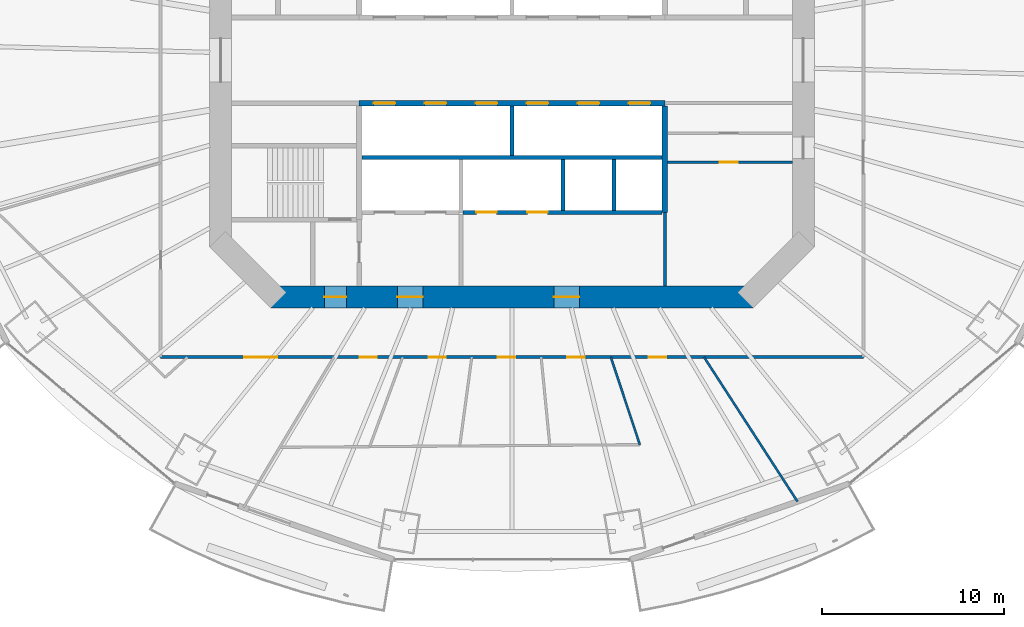
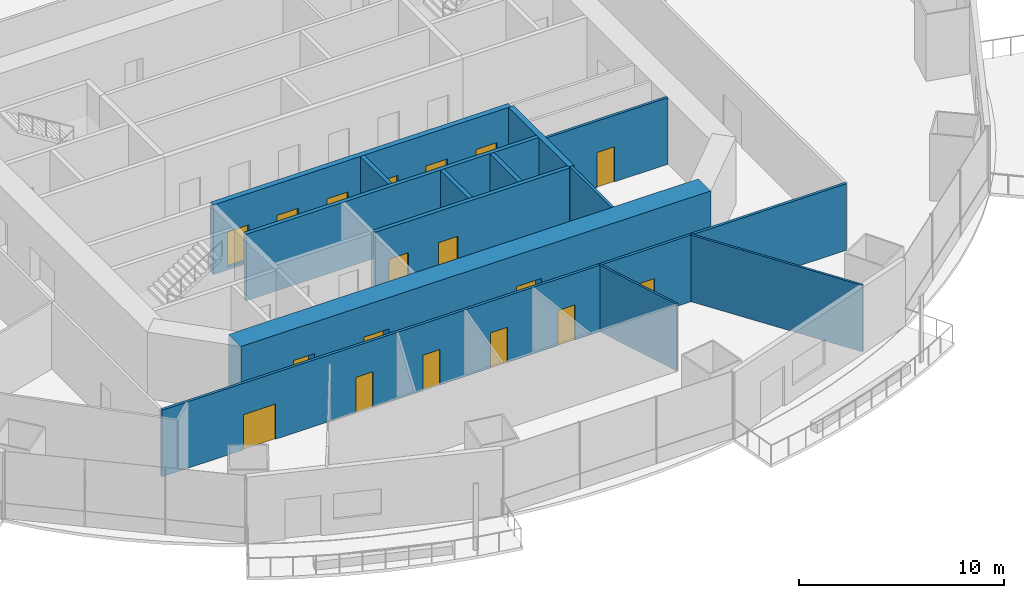
# One storey, part 13 of 20: 18 doors, 13 walls, 18 openings.
"""IFC4 building model written with IfcOpenShell, lengths in metres."""

from ifc_helpers import new_model, si_unit, direction, frame, frame_2d, origin, place, context, subcontext, project, spatial, rectangle, extrude, material, layer, layer_set, type_object, element, fill, save


model = new_model("IFC4")

# Units and contexts
model_context = context("Model", 3, precision=1e-05, world=origin(), true_north=direction((0.0, 1.0)))
body_context = subcontext(model_context, "Body", "Model", "MODEL_VIEW")
ifc_project = project(units=[si_unit("LENGTHUNIT", "METRE"), si_unit("AREAUNIT", "SQUARE_METRE"), si_unit("VOLUMEUNIT", "CUBIC_METRE"), si_unit("PLANEANGLEUNIT", "RADIAN"), si_unit("MASSUNIT", "GRAM", prefix="KILO")], contexts=[model_context])

# Site, building, storey
site_placement = place(None, origin())
site = spatial("IfcSite", under=ifc_project, at=site_placement, CompositionType="ELEMENT")
building_placement = place(site_placement, origin())
building = spatial("IfcBuilding", under=site, at=building_placement, Name="Marenthal Gate Tower", CompositionType="ELEMENT")
storey_placement = place(building_placement, frame((0.0, 0.0, 132.60009765625)))
storey = spatial("IfcBuildingStorey", under=building, at=storey_placement, Name="L28", CompositionType="ELEMENT", Elevation=132.60009765625)

# Wall, openings, doors
ifc_material_1 = material(Name="Concrete 60 MPa", Category="concrete")
ifc_layer_1 = layer(ifc_material_1, 1.199951171875)
ifc_layer_set_1 = layer_set([ifc_layer_1], Name="Core shear wall 1200")
wall_type_1 = type_object("IfcWallType", Name="Core shear wall 1200", PredefinedType="SHEAR", material=ifc_layer_set_1)
wall_1_placement = place(storey_placement, frame((-13.24853515625, -13.0, -0.18017578125), z_axis=(0.0, 0.0, 1.0), x_axis=(1.0, 0.0, 0.0)))
wall_1 = element("IfcWall", 1, at=wall_1_placement, inside=storey, type_object=wall_type_1, Name="Core wall 08", PredefinedType="SHEAR", context=body_context, shape_type="SweptSolid", body=[
    extrude(rectangle(XDim=26.4970703125, YDim=1.199951171875, at=frame_2d((13.24853515625, 0.0))), origin(), (0.0, 0.0, 1.0), 4.150146484375),
])
opening_1_placement = place(wall_1_placement, frame((2.948486328125, 0.0, 0.179931640625)))
opening_1 = element("IfcOpeningElement", 2, at=opening_1_placement, cuts=wall_1, Name="Opening D001.06", PredefinedType="OPENING", context=body_context, shape_type="SweptSolid", body=[
    extrude(rectangle(XDim=1.199951171875, YDim=2.10009765625, at=frame_2d((0.60009765625, 1.050048828125))), frame((0.0, 0.60986328125, 0.0), z_axis=(0.0, -1.0, 0.0), x_axis=(1.0, 0.0, 0.0)), (0.0, 0.0, 1.0), 1.219970703125),
])
opening_2_placement = place(wall_1_placement, frame((6.948486328125, 0.0, 0.179931640625)))
opening_2 = element("IfcOpeningElement", 3, at=opening_2_placement, cuts=wall_1, Name="Opening D004.01", PredefinedType="OPENING", context=body_context, shape_type="SweptSolid", body=[
    extrude(rectangle(XDim=1.39990234375, YDim=2.10009765625, at=frame_2d((0.699951171875, 1.050048828125))), frame((0.0, 0.60986328125, 0.0), z_axis=(0.0, -1.0, 0.0), x_axis=(1.0, 0.0, 0.0)), (0.0, 0.0, 1.0), 1.219970703125),
])
opening_3_placement = place(wall_1_placement, frame((15.548583984375, 0.0, 0.179931640625)))
opening_3 = element("IfcOpeningElement", 4, at=opening_3_placement, cuts=wall_1, Name="Opening D004.02", PredefinedType="OPENING", context=body_context, shape_type="SweptSolid", body=[
    extrude(rectangle(XDim=1.39990234375, YDim=2.10009765625, at=frame_2d((0.699951171875, 1.050048828125))), frame((0.0, 0.60986328125, 0.0), z_axis=(0.0, -1.0, 0.0), x_axis=(1.0, 0.0, 0.0)), (0.0, 0.0, 1.0), 1.219970703125),
])
ifc_material_2 = material(Name="Steel fire door", Category="steel")
door_type_1 = type_object("IfcDoorType", Name="Fire door FD 45 1400 x 2100", OperationType="NOTDEFINED", PredefinedType="DOOR", material=ifc_material_2)
door_1_placement = place(opening_2_placement, origin())
door_1 = element("IfcDoor", 5, at=door_1_placement, inside=storey, type_object=door_type_1, Name="Door D004.01", OperationType="SINGLE_SWING_RIGHT", OverallHeight=2.10009765625, OverallWidth=1.39990234375, PredefinedType="DOOR", context=body_context, shape_type="SweptSolid", body=[
    extrude(rectangle(XDim=1.39990234375, YDim=2.10009765625, at=frame_2d((0.699951171875, 1.050048828125))), frame((0.0, 0.02490234375, 0.0), z_axis=(0.0, -1.0, 0.0), x_axis=(1.0, 0.0, 0.0)), (0.0, 0.0, 1.0), 0.050048828125),
])
fill(opening_2, door_1)
door_2_placement = place(opening_3_placement, origin())
door_2 = element("IfcDoor", 6, at=door_2_placement, inside=storey, type_object=door_type_1, Name="Door D004.02", OperationType="SINGLE_SWING_RIGHT", OverallHeight=2.10009765625, OverallWidth=1.39990234375, PredefinedType="DOOR", context=body_context, shape_type="SweptSolid", body=[
    extrude(rectangle(XDim=1.39990234375, YDim=2.10009765625, at=frame_2d((0.699951171875, 1.050048828125))), frame((0.0, 0.02490234375, 0.0), z_axis=(0.0, -1.0, 0.0), x_axis=(1.0, 0.0, 0.0)), (0.0, 0.0, 1.0), 0.050048828125),
])
fill(opening_3, door_2)
ifc_material_3 = material(Name="Steel fire door", Category="steel")
door_type_2 = type_object("IfcDoorType", Name="Fire door FD 90 1200 x 2100", OperationType="NOTDEFINED", PredefinedType="DOOR", material=ifc_material_3)
door_3_placement = place(opening_1_placement, origin())
door_3 = element("IfcDoor", 7, at=door_3_placement, inside=storey, type_object=door_type_2, Name="Door D001.06", OperationType="SINGLE_SWING_RIGHT", OverallHeight=2.10009765625, OverallWidth=1.199951171875, PredefinedType="DOOR", context=body_context, shape_type="SweptSolid", body=[
    extrude(rectangle(XDim=1.199951171875, YDim=2.10009765625, at=frame_2d((0.60009765625, 1.050048828125))), frame((0.0, 0.02490234375, 0.0), z_axis=(0.0, -1.0, 0.0), x_axis=(1.0, 0.0, 0.0)), (0.0, 0.0, 1.0), 0.050048828125),
])
fill(opening_1, door_3)

ifc_material_4 = material(Name="Concrete 50 MPa", Category="concrete")
ifc_layer_2 = layer(ifc_material_4, 0.300048828125)
ifc_layer_set_2 = layer_set([ifc_layer_2], Name="Hoistway shear wall 300")
wall_type_2 = type_object("IfcWallType", Name="Hoistway shear wall 300", PredefinedType="SHEAR", material=ifc_layer_set_2)
wall_2_placement = place(storey_placement, frame((-8.39990234375, -2.35009765625, -0.18017578125), z_axis=(0.0, 0.0, 1.0), x_axis=(1.0, 0.0, 0.0)))
wall_2 = element("IfcWall", 8, at=wall_2_placement, inside=storey, type_object=wall_type_2, Name="Hoistway wall 17", PredefinedType="SHEAR", context=body_context, shape_type="SweptSolid", body=[
    extrude(rectangle(XDim=16.7998046875, YDim=0.300048828125, at=frame_2d((8.39990234375, 0.0))), origin(), (0.0, 0.0, 1.0), 4.150146484375),
])
opening_4_placement = place(wall_2_placement, frame((0.800048828125, 0.0, 0.179931640625)))
opening_4 = element("IfcOpeningElement", 9, at=opening_4_placement, cuts=wall_2, Name="Opening LD-LP7", PredefinedType="OPENING", context=body_context, shape_type="SweptSolid", body=[
    extrude(rectangle(XDim=1.199951171875, YDim=2.10009765625, at=frame_2d((0.60009765625, 1.050048828125))), frame((0.0, 0.16015625, 0.0), z_axis=(0.0, -1.0, 0.0), x_axis=(1.0, 0.0, 0.0)), (0.0, 0.0, 1.0), 0.320068359375),
])
opening_5_placement = place(wall_2_placement, frame((3.60009765625, 0.0, 0.179931640625)))
opening_5 = element("IfcOpeningElement", 10, at=opening_5_placement, cuts=wall_2, Name="Opening LD-LP8", PredefinedType="OPENING", context=body_context, shape_type="SweptSolid", body=[
    extrude(rectangle(XDim=1.199951171875, YDim=2.10009765625, at=frame_2d((0.60009765625, 1.050048828125))), frame((0.0, 0.16015625, 0.0), z_axis=(0.0, -1.0, 0.0), x_axis=(1.0, 0.0, 0.0)), (0.0, 0.0, 1.0), 0.320068359375),
])
opening_6_placement = place(wall_2_placement, frame((6.39990234375, 0.0, 0.179931640625)))
opening_6 = element("IfcOpeningElement", 11, at=opening_6_placement, cuts=wall_2, Name="Opening LD-LP9", PredefinedType="OPENING", context=body_context, shape_type="SweptSolid", body=[
    extrude(rectangle(XDim=1.199951171875, YDim=2.10009765625, at=frame_2d((0.60009765625, 1.050048828125))), frame((0.0, 0.16015625, 0.0), z_axis=(0.0, -1.0, 0.0), x_axis=(1.0, 0.0, 0.0)), (0.0, 0.0, 1.0), 0.320068359375),
])
opening_7_placement = place(wall_2_placement, frame((9.199951171875, 0.0, 0.179931640625)))
opening_7 = element("IfcOpeningElement", 12, at=opening_7_placement, cuts=wall_2, Name="Opening LD-LP10", PredefinedType="OPENING", context=body_context, shape_type="SweptSolid", body=[
    extrude(rectangle(XDim=1.199951171875, YDim=2.10009765625, at=frame_2d((0.60009765625, 1.050048828125))), frame((0.0, 0.16015625, 0.0), z_axis=(0.0, -1.0, 0.0), x_axis=(1.0, 0.0, 0.0)), (0.0, 0.0, 1.0), 0.320068359375),
])
opening_8_placement = place(wall_2_placement, frame((12.0, 0.0, 0.179931640625)))
opening_8 = element("IfcOpeningElement", 13, at=opening_8_placement, cuts=wall_2, Name="Opening LD-LP11", PredefinedType="OPENING", context=body_context, shape_type="SweptSolid", body=[
    extrude(rectangle(XDim=1.199951171875, YDim=2.10009765625, at=frame_2d((0.60009765625, 1.050048828125))), frame((0.0, 0.16015625, 0.0), z_axis=(0.0, -1.0, 0.0), x_axis=(1.0, 0.0, 0.0)), (0.0, 0.0, 1.0), 0.320068359375),
])
opening_9_placement = place(wall_2_placement, frame((14.800048828125, 0.0, 0.179931640625)))
opening_9 = element("IfcOpeningElement", 14, at=opening_9_placement, cuts=wall_2, Name="Opening LD-LP12", PredefinedType="OPENING", context=body_context, shape_type="SweptSolid", body=[
    extrude(rectangle(XDim=1.199951171875, YDim=2.10009765625, at=frame_2d((0.60009765625, 1.050048828125))), frame((0.0, 0.16015625, 0.0), z_axis=(0.0, -1.0, 0.0), x_axis=(1.0, 0.0, 0.0)), (0.0, 0.0, 1.0), 0.320068359375),
])
ifc_material_5 = material(Name="Stainless steel sliding door", Category="steel")
door_type_3 = type_object("IfcDoorType", Name="Lift landing door FD 90 1200 x 2100", OperationType="DOUBLE_DOOR_SLIDING", PredefinedType="DOOR", material=ifc_material_5)
door_4_placement = place(opening_4_placement, origin())
door_4 = element("IfcDoor", 15, at=door_4_placement, inside=storey, type_object=door_type_3, Name="Lift landing door LP7", OperationType="DOUBLE_DOOR_SLIDING", OverallHeight=2.10009765625, OverallWidth=1.199951171875, PredefinedType="DOOR", context=body_context, shape_type="SweptSolid", body=[
    extrude(rectangle(XDim=1.199951171875, YDim=2.10009765625, at=frame_2d((0.60009765625, 1.050048828125))), frame((0.0, 0.02490234375, 0.0), z_axis=(0.0, -1.0, 0.0), x_axis=(1.0, 0.0, 0.0)), (0.0, 0.0, 1.0), 0.050048828125),
])
fill(opening_4, door_4)
door_5_placement = place(opening_5_placement, origin())
door_5 = element("IfcDoor", 16, at=door_5_placement, inside=storey, type_object=door_type_3, Name="Lift landing door LP8", OperationType="DOUBLE_DOOR_SLIDING", OverallHeight=2.10009765625, OverallWidth=1.199951171875, PredefinedType="DOOR", context=body_context, shape_type="SweptSolid", body=[
    extrude(rectangle(XDim=1.199951171875, YDim=2.10009765625, at=frame_2d((0.60009765625, 1.050048828125))), frame((0.0, 0.02490234375, 0.0), z_axis=(0.0, -1.0, 0.0), x_axis=(1.0, 0.0, 0.0)), (0.0, 0.0, 1.0), 0.050048828125),
])
fill(opening_5, door_5)
door_6_placement = place(opening_6_placement, origin())
door_6 = element("IfcDoor", 17, at=door_6_placement, inside=storey, type_object=door_type_3, Name="Lift landing door LP9", OperationType="DOUBLE_DOOR_SLIDING", OverallHeight=2.10009765625, OverallWidth=1.199951171875, PredefinedType="DOOR", context=body_context, shape_type="SweptSolid", body=[
    extrude(rectangle(XDim=1.199951171875, YDim=2.10009765625, at=frame_2d((0.60009765625, 1.050048828125))), frame((0.0, 0.02490234375, 0.0), z_axis=(0.0, -1.0, 0.0), x_axis=(1.0, 0.0, 0.0)), (0.0, 0.0, 1.0), 0.050048828125),
])
fill(opening_6, door_6)
door_7_placement = place(opening_7_placement, origin())
door_7 = element("IfcDoor", 18, at=door_7_placement, inside=storey, type_object=door_type_3, Name="Lift landing door LP10", OperationType="DOUBLE_DOOR_SLIDING", OverallHeight=2.10009765625, OverallWidth=1.199951171875, PredefinedType="DOOR", context=body_context, shape_type="SweptSolid", body=[
    extrude(rectangle(XDim=1.199951171875, YDim=2.10009765625, at=frame_2d((0.60009765625, 1.050048828125))), frame((0.0, 0.02490234375, 0.0), z_axis=(0.0, -1.0, 0.0), x_axis=(1.0, 0.0, 0.0)), (0.0, 0.0, 1.0), 0.050048828125),
])
fill(opening_7, door_7)
door_8_placement = place(opening_8_placement, origin())
door_8 = element("IfcDoor", 19, at=door_8_placement, inside=storey, type_object=door_type_3, Name="Lift landing door LP11", OperationType="DOUBLE_DOOR_SLIDING", OverallHeight=2.10009765625, OverallWidth=1.199951171875, PredefinedType="DOOR", context=body_context, shape_type="SweptSolid", body=[
    extrude(rectangle(XDim=1.199951171875, YDim=2.10009765625, at=frame_2d((0.60009765625, 1.050048828125))), frame((0.0, 0.02490234375, 0.0), z_axis=(0.0, -1.0, 0.0), x_axis=(1.0, 0.0, 0.0)), (0.0, 0.0, 1.0), 0.050048828125),
])
fill(opening_8, door_8)
door_9_placement = place(opening_9_placement, origin())
door_9 = element("IfcDoor", 20, at=door_9_placement, inside=storey, type_object=door_type_3, Name="Lift landing door LP12", OperationType="DOUBLE_DOOR_SLIDING", OverallHeight=2.10009765625, OverallWidth=1.199951171875, PredefinedType="DOOR", context=body_context, shape_type="SweptSolid", body=[
    extrude(rectangle(XDim=1.199951171875, YDim=2.10009765625, at=frame_2d((0.60009765625, 1.050048828125))), frame((0.0, 0.02490234375, 0.0), z_axis=(0.0, -1.0, 0.0), x_axis=(1.0, 0.0, 0.0)), (0.0, 0.0, 1.0), 0.050048828125),
])
fill(opening_9, door_9)

# Wall
wall_3_placement = place(storey_placement, frame((8.39990234375, -8.35009765625, -0.18017578125), z_axis=(0.0, 0.0, 1.0), x_axis=(0.0, 1.0, 0.0)))
element("IfcWall", 21, at=wall_3_placement, inside=storey, type_object=wall_type_2, Name="Hoistway wall 43", PredefinedType="SHEAR", context=body_context, shape_type="SweptSolid", body=[
    extrude(rectangle(XDim=5.85009765625, YDim=0.300048828125, at=frame_2d((2.925048828125, 0.0))), origin(), (0.0, 0.0, 1.0), 4.150146484375),
])

# Wall, openings, doors
ifc_material_6 = material(Name="Concrete 40 MPa", Category="concrete")
ifc_layer_3 = layer(ifc_material_6, 0.219970703125)
ifc_layer_set_3 = layer_set([ifc_layer_3], Name="Hoistway wall 220")
wall_type_3 = type_object("IfcWallType", Name="Hoistway wall 220", PredefinedType="STANDARD", material=ifc_layer_set_3)
wall_4_placement = place(storey_placement, frame((-2.68994140625, -8.35009765625, 0.0), z_axis=(0.0, 0.0, 1.0), x_axis=(1.0, 0.0, 0.0)))
wall_4 = element("IfcWall", 22, at=wall_4_placement, inside=storey, type_object=wall_type_3, Name="Hoistway wall 11", PredefinedType="STANDARD", context=body_context, shape_type="SweptSolid", body=[
    extrude(rectangle(XDim=10.93994140625, YDim=0.219970703125, at=frame_2d((5.469970703125, 0.0))), origin(), (0.0, 0.0, 1.0), 3.969970703125),
])
opening_10_placement = place(wall_4_placement, frame((0.739990234375, 0.0, 0.0)))
opening_10 = element("IfcOpeningElement", 23, at=opening_10_placement, cuts=wall_4, Name="Opening LD-SV1", PredefinedType="OPENING", context=body_context, shape_type="SweptSolid", body=[
    extrude(rectangle(XDim=1.10009765625, YDim=2.10009765625, at=frame_2d((0.550048828125, 1.050048828125))), frame((0.0, 0.1201171875, 0.0), z_axis=(0.0, -1.0, 0.0), x_axis=(1.0, 0.0, 0.0)), (0.0, 0.0, 1.0), 0.239990234375),
])
opening_11_placement = place(wall_4_placement, frame((3.5400390625, 0.0, 0.0)))
opening_11 = element("IfcOpeningElement", 24, at=opening_11_placement, cuts=wall_4, Name="Opening LD-SV2", PredefinedType="OPENING", context=body_context, shape_type="SweptSolid", body=[
    extrude(rectangle(XDim=1.10009765625, YDim=2.10009765625, at=frame_2d((0.550048828125, 1.050048828125))), frame((0.0, 0.1201171875, 0.0), z_axis=(0.0, -1.0, 0.0), x_axis=(1.0, 0.0, 0.0)), (0.0, 0.0, 1.0), 0.239990234375),
])
ifc_material_7 = material(Name="Stainless steel sliding door", Category="steel")
door_type_4 = type_object("IfcDoorType", Name="Lift landing door FD 90 1100 x 2100", OperationType="DOUBLE_DOOR_SLIDING", PredefinedType="DOOR", material=ifc_material_7)
door_10_placement = place(opening_10_placement, origin())
door_10 = element("IfcDoor", 25, at=door_10_placement, inside=storey, type_object=door_type_4, Name="Lift landing door SV1", OperationType="DOUBLE_DOOR_SLIDING", OverallHeight=2.10009765625, OverallWidth=1.10009765625, PredefinedType="DOOR", context=body_context, shape_type="SweptSolid", body=[
    extrude(rectangle(XDim=1.10009765625, YDim=2.10009765625, at=frame_2d((0.550048828125, 1.050048828125))), frame((0.0, 0.02490234375, 0.0), z_axis=(0.0, -1.0, 0.0), x_axis=(1.0, 0.0, 0.0)), (0.0, 0.0, 1.0), 0.050048828125),
])
fill(opening_10, door_10)
door_11_placement = place(opening_11_placement, origin())
door_11 = element("IfcDoor", 26, at=door_11_placement, inside=storey, type_object=door_type_4, Name="Lift landing door SV2", OperationType="DOUBLE_DOOR_SLIDING", OverallHeight=2.10009765625, OverallWidth=1.10009765625, PredefinedType="DOOR", context=body_context, shape_type="SweptSolid", body=[
    extrude(rectangle(XDim=1.10009765625, YDim=2.10009765625, at=frame_2d((0.550048828125, 1.050048828125))), frame((0.0, 0.02490234375, 0.0), z_axis=(0.0, -1.0, 0.0), x_axis=(1.0, 0.0, 0.0)), (0.0, 0.0, 1.0), 0.050048828125),
])
fill(opening_11, door_11)

# Walls
wall_5_placement = place(storey_placement, frame((-8.25, -5.35009765625, 0.0), z_axis=(0.0, 0.0, 1.0), x_axis=(1.0, 0.0, 0.0)))
element("IfcWall", 27, at=wall_5_placement, inside=storey, type_object=wall_type_3, Name="Hoistway wall 13", PredefinedType="STANDARD", context=body_context, shape_type="SweptSolid", body=[
    extrude(rectangle(XDim=16.5, YDim=0.219970703125, at=frame_2d((8.25, 0.0))), origin(), (0.0, 0.0, 1.0), 3.969970703125),
])
wall_6_placement = place(storey_placement, frame((0.0, -5.239990234375, 0.0), z_axis=(0.0, 0.0, 1.0), x_axis=(0.0, 1.0, 0.0)))
element("IfcWall", 28, at=wall_6_placement, inside=storey, type_object=wall_type_3, Name="Hoistway wall 36", PredefinedType="STANDARD", context=body_context, shape_type="SweptSolid", body=[
    extrude(rectangle(XDim=2.739990234375, YDim=0.219970703125, at=frame_2d((1.3701171875, 0.0))), origin(), (0.0, 0.0, 1.0), 3.969970703125),
])
for number, where, z_axis, x_axis, name in (
    (29, (2.800048828125, -8.239990234375, 0.0), (0.0, 0.0, 1.0), (0.0, 1.0, 0.0), "Hoistway wall 38"),
    (30, (5.60009765625, -8.239990234375, 0.0), (0.0, 0.0, 1.0), (0.0, 1.0, 0.0), "Hoistway wall 41"),
):
    element("IfcWall", number, at=place(storey_placement, frame(where, z_axis=z_axis, x_axis=x_axis)), inside=storey, type_object=wall_type_3, Name=name, PredefinedType="STANDARD", context=body_context, shape_type="SweptSolid", body=[
        extrude(rectangle(XDim=2.780029296875, YDim=0.219970703125, at=frame_2d((1.39013671875, 0.0))), origin(), (0.0, 0.0, 1.0), 3.969970703125),
    ])
ifc_material_8 = material(Name="Gypsum board on steel studs", Category="steel")
ifc_layer_4 = layer(ifc_material_8, 0.1201171875)
ifc_layer_set_4 = layer_set([ifc_layer_4], Name="Partition 120")
wall_type_4 = type_object("IfcWallType", Name="Partition 120", PredefinedType="PARTITIONING", material=ifc_layer_set_4)
wall_7_placement = place(storey_placement, frame((7.0224609375, -21.10888671875, 0.0), z_axis=(0.0, 0.0, 1.0), x_axis=(-0.315678539319, 0.948866197002, 0.0)))
element("IfcWall", 31, at=wall_7_placement, inside=storey, type_object=wall_type_4, Name="Partition wall 57", PredefinedType="PARTITIONING", context=body_context, shape_type="SweptSolid", body=[
    extrude(rectangle(XDim=5.06787109375, YDim=0.1201171875, at=frame_2d((2.533935546875, 0.0))), origin(), (0.0, 0.0, 1.0), 3.969970703125),
])
wall_8_placement = place(storey_placement, frame((10.5458984375, -16.300048828125, 0.0), z_axis=(0.0, 0.0, 1.0), x_axis=(0.543211638751, -0.839595804852, 0.0)))
element("IfcWall", 32, at=wall_8_placement, inside=storey, type_object=wall_type_4, Name="Partition wall 58", PredefinedType="PARTITIONING", context=body_context, shape_type="SweptSolid", body=[
    extrude(rectangle(XDim=9.448974609375, YDim=0.1201171875, at=frame_2d((4.724609375, 0.0))), origin(), (0.0, 0.0, 1.0), 3.969970703125),
])

# Wall, opening, door
ifc_material_9 = material(Name="Gypsum board on steel studs", Category="steel")
ifc_layer_5 = layer(ifc_material_9, 0.14990234375)
ifc_layer_set_5 = layer_set([ifc_layer_5], Name="Partition 150")
wall_type_5 = type_object("IfcWallType", Name="Partition 150", PredefinedType="PARTITIONING", material=ifc_layer_set_5)
wall_9_placement = place(storey_placement, frame((8.550048828125, -5.60009765625, 0.0), z_axis=(0.0, 0.0, 1.0), x_axis=(1.0, 0.0, 0.0)))
wall_9 = element("IfcWall", 33, at=wall_9_placement, inside=storey, type_object=wall_type_5, Name="Partition wall 12", PredefinedType="PARTITIONING", context=body_context, shape_type="SweptSolid", body=[
    extrude(rectangle(XDim=6.849853515625, YDim=0.14990234375, at=frame_2d((3.4248046875, 0.0))), origin(), (0.0, 0.0, 1.0), 3.969970703125),
])
opening_12_placement = place(wall_9_placement, frame((2.85009765625, 0.0, 0.0)))
opening_12 = element("IfcOpeningElement", 34, at=opening_12_placement, cuts=wall_9, Name="Opening D005.04", PredefinedType="OPENING", context=body_context, shape_type="SweptSolid", body=[
    extrude(rectangle(XDim=1.0, YDim=2.10009765625, at=frame_2d((0.5, 1.050048828125))), frame((0.0, 0.0849609375, 0.0), z_axis=(0.0, -1.0, 0.0), x_axis=(1.0, 0.0, 0.0)), (0.0, 0.0, 1.0), 0.169921875),
])
ifc_material_10 = material(Name="Steel fire door", Category="steel")
door_type_5 = type_object("IfcDoorType", Name="Fire door FD 45 1000 x 2100", OperationType="NOTDEFINED", PredefinedType="DOOR", material=ifc_material_10)
door_12_placement = place(opening_12_placement, frame((1.0, 0.0, 0.0), z_axis=(0.0, 0.0, 1.0), x_axis=(-1.0, 0.0, 0.0)))
door_12 = element("IfcDoor", 35, at=door_12_placement, inside=storey, type_object=door_type_5, Name="Door D005.04", OperationType="SINGLE_SWING_LEFT", OverallHeight=2.10009765625, OverallWidth=1.0, PredefinedType="DOOR", context=body_context, shape_type="SweptSolid", body=[
    extrude(rectangle(XDim=1.0, YDim=2.10009765625, at=frame_2d((0.5, 1.050048828125))), frame((0.0, 0.02490234375, 0.0), z_axis=(0.0, -1.0, 0.0), x_axis=(1.0, 0.0, 0.0)), (0.0, 0.0, 1.0), 0.050048828125),
])
fill(opening_12, door_12)

# Wall
wall_10_placement = place(storey_placement, frame((8.39990234375, -12.39990234375, 0.0), z_axis=(0.0, 0.0, 1.0), x_axis=(0.0, 1.0, 0.0)))
element("IfcWall", 36, at=wall_10_placement, inside=storey, type_object=wall_type_5, Name="Partition wall 42", PredefinedType="PARTITIONING", context=body_context, shape_type="SweptSolid", body=[
    extrude(rectangle(XDim=4.0498046875, YDim=0.14990234375, at=frame_2d((2.02490234375, 0.0))), origin(), (0.0, 0.0, 1.0), 3.969970703125),
])

# Wall, openings, doors
wall_11_placement = place(storey_placement, frame((19.300048828125, -16.300048828125, 0.0), z_axis=(0.0, 0.0, 1.0), x_axis=(-1.0, 0.0, 0.0)))
wall_11 = element("IfcWall", 37, at=wall_11_placement, inside=storey, type_object=wall_type_5, Name="Partition wall 59", PredefinedType="PARTITIONING", context=body_context, shape_type="SweptSolid", body=[
    extrude(rectangle(XDim=38.60009765625, YDim=0.14990234375, at=frame_2d((19.300048828125, 0.0))), origin(), (0.0, 0.0, 1.0), 3.969970703125),
])
opening_13_placement = place(wall_11_placement, frame((32.2060546875, 0.0, 0.0)))
opening_13 = element("IfcOpeningElement", 38, at=opening_13_placement, cuts=wall_11, Name="Opening D014.02", PredefinedType="OPENING", context=body_context, shape_type="SweptSolid", body=[
    extrude(rectangle(XDim=1.800048828125, YDim=2.10009765625, at=frame_2d((0.89990234375, 1.050048828125))), frame((0.0, 0.0849609375, 0.0), z_axis=(0.0, -1.0, 0.0), x_axis=(1.0, 0.0, 0.0)), (0.0, 0.0, 1.0), 0.169921875),
])
opening_14_placement = place(wall_11_placement, frame((26.720947265625, 0.0, 0.0)))
opening_14 = element("IfcOpeningElement", 39, at=opening_14_placement, cuts=wall_11, Name="Opening D016.02", PredefinedType="OPENING", context=body_context, shape_type="SweptSolid", body=[
    extrude(rectangle(XDim=0.949951171875, YDim=2.10009765625, at=frame_2d((0.47509765625, 1.050048828125))), frame((0.0, 0.0849609375, 0.0), z_axis=(0.0, -1.0, 0.0), x_axis=(1.0, 0.0, 0.0)), (0.0, 0.0, 1.0), 0.169921875),
])
opening_15_placement = place(wall_11_placement, frame((22.930908203125, 0.0, 0.0)))
opening_15 = element("IfcOpeningElement", 40, at=opening_15_placement, cuts=wall_11, Name="Opening D016.03", PredefinedType="OPENING", context=body_context, shape_type="SweptSolid", body=[
    extrude(rectangle(XDim=0.949951171875, YDim=2.10009765625, at=frame_2d((0.47509765625, 1.050048828125))), frame((0.0, 0.0849609375, 0.0), z_axis=(0.0, -1.0, 0.0), x_axis=(1.0, 0.0, 0.0)), (0.0, 0.0, 1.0), 0.169921875),
])
opening_16_placement = place(wall_11_placement, frame((19.12890625, 0.0, 0.0)))
opening_16 = element("IfcOpeningElement", 41, at=opening_16_placement, cuts=wall_11, Name="Opening D016.04", PredefinedType="OPENING", context=body_context, shape_type="SweptSolid", body=[
    extrude(rectangle(XDim=0.949951171875, YDim=2.10009765625, at=frame_2d((0.47509765625, 1.050048828125))), frame((0.0, 0.0849609375, 0.0), z_axis=(0.0, -1.0, 0.0), x_axis=(1.0, 0.0, 0.0)), (0.0, 0.0, 1.0), 0.169921875),
])
opening_17_placement = place(wall_11_placement, frame((15.31298828125, 0.0, 0.0)))
opening_17 = element("IfcOpeningElement", 42, at=opening_17_placement, cuts=wall_11, Name="Opening D016.05", PredefinedType="OPENING", context=body_context, shape_type="SweptSolid", body=[
    extrude(rectangle(XDim=0.949951171875, YDim=2.10009765625, at=frame_2d((0.47509765625, 1.050048828125))), frame((0.0, 0.0849609375, 0.0), z_axis=(0.0, -1.0, 0.0), x_axis=(1.0, 0.0, 0.0)), (0.0, 0.0, 1.0), 0.169921875),
])
opening_18_placement = place(wall_11_placement, frame((10.841064453125, 0.0, 0.0)))
opening_18 = element("IfcOpeningElement", 43, at=opening_18_placement, cuts=wall_11, Name="Opening D016.06", PredefinedType="OPENING", context=body_context, shape_type="SweptSolid", body=[
    extrude(rectangle(XDim=0.949951171875, YDim=2.10009765625, at=frame_2d((0.47509765625, 1.050048828125))), frame((0.0, 0.0849609375, 0.0), z_axis=(0.0, -1.0, 0.0), x_axis=(1.0, 0.0, 0.0)), (0.0, 0.0, 1.0), 0.169921875),
])
ifc_material_11 = material(Name="Timber door", Category="wood")
door_type_6 = type_object("IfcDoorType", Name="Door 950 x 2100", OperationType="NOTDEFINED", PredefinedType="DOOR", material=ifc_material_11)
door_13_placement = place(opening_14_placement, origin())
door_13 = element("IfcDoor", 44, at=door_13_placement, inside=storey, type_object=door_type_6, Name="Door D016.02", OperationType="SINGLE_SWING_RIGHT", OverallHeight=2.10009765625, OverallWidth=0.949951171875, PredefinedType="DOOR", context=body_context, shape_type="SweptSolid", body=[
    extrude(rectangle(XDim=0.949951171875, YDim=2.10009765625, at=frame_2d((0.47509765625, 1.050048828125))), frame((0.0, 0.02490234375, 0.0), z_axis=(0.0, -1.0, 0.0), x_axis=(1.0, 0.0, 0.0)), (0.0, 0.0, 1.0), 0.050048828125),
])
fill(opening_14, door_13)
door_14_placement = place(opening_15_placement, origin())
door_14 = element("IfcDoor", 45, at=door_14_placement, inside=storey, type_object=door_type_6, Name="Door D016.03", OperationType="SINGLE_SWING_RIGHT", OverallHeight=2.10009765625, OverallWidth=0.949951171875, PredefinedType="DOOR", context=body_context, shape_type="SweptSolid", body=[
    extrude(rectangle(XDim=0.949951171875, YDim=2.10009765625, at=frame_2d((0.47509765625, 1.050048828125))), frame((0.0, 0.02490234375, 0.0), z_axis=(0.0, -1.0, 0.0), x_axis=(1.0, 0.0, 0.0)), (0.0, 0.0, 1.0), 0.050048828125),
])
fill(opening_15, door_14)
door_15_placement = place(opening_16_placement, origin())
door_15 = element("IfcDoor", 46, at=door_15_placement, inside=storey, type_object=door_type_6, Name="Door D016.04", OperationType="SINGLE_SWING_RIGHT", OverallHeight=2.10009765625, OverallWidth=0.949951171875, PredefinedType="DOOR", context=body_context, shape_type="SweptSolid", body=[
    extrude(rectangle(XDim=0.949951171875, YDim=2.10009765625, at=frame_2d((0.47509765625, 1.050048828125))), frame((0.0, 0.02490234375, 0.0), z_axis=(0.0, -1.0, 0.0), x_axis=(1.0, 0.0, 0.0)), (0.0, 0.0, 1.0), 0.050048828125),
])
fill(opening_16, door_15)
door_16_placement = place(opening_17_placement, origin())
door_16 = element("IfcDoor", 47, at=door_16_placement, inside=storey, type_object=door_type_6, Name="Door D016.05", OperationType="SINGLE_SWING_RIGHT", OverallHeight=2.10009765625, OverallWidth=0.949951171875, PredefinedType="DOOR", context=body_context, shape_type="SweptSolid", body=[
    extrude(rectangle(XDim=0.949951171875, YDim=2.10009765625, at=frame_2d((0.47509765625, 1.050048828125))), frame((0.0, 0.02490234375, 0.0), z_axis=(0.0, -1.0, 0.0), x_axis=(1.0, 0.0, 0.0)), (0.0, 0.0, 1.0), 0.050048828125),
])
fill(opening_17, door_16)
door_17_placement = place(opening_18_placement, origin())
door_17 = element("IfcDoor", 48, at=door_17_placement, inside=storey, type_object=door_type_6, Name="Door D016.06", OperationType="SINGLE_SWING_RIGHT", OverallHeight=2.10009765625, OverallWidth=0.949951171875, PredefinedType="DOOR", context=body_context, shape_type="SweptSolid", body=[
    extrude(rectangle(XDim=0.949951171875, YDim=2.10009765625, at=frame_2d((0.47509765625, 1.050048828125))), frame((0.0, 0.02490234375, 0.0), z_axis=(0.0, -1.0, 0.0), x_axis=(1.0, 0.0, 0.0)), (0.0, 0.0, 1.0), 0.050048828125),
])
fill(opening_18, door_17)
ifc_material_12 = material(Name="Timber door", Category="wood")
door_type_7 = type_object("IfcDoorType", Name="Double door 1800 x 2100", OperationType="DOUBLE_DOOR_SINGLE_SWING", PredefinedType="DOOR", material=ifc_material_12)
door_18_placement = place(opening_13_placement, origin())
door_18 = element("IfcDoor", 49, at=door_18_placement, inside=storey, type_object=door_type_7, Name="Door D014.02", OperationType="DOUBLE_DOOR_SINGLE_SWING", OverallHeight=2.10009765625, OverallWidth=1.800048828125, PredefinedType="DOOR", context=body_context, shape_type="SweptSolid", body=[
    extrude(rectangle(XDim=1.800048828125, YDim=2.10009765625, at=frame_2d((0.89990234375, 1.050048828125))), frame((0.0, 0.02490234375, 0.0), z_axis=(0.0, -1.0, 0.0), x_axis=(1.0, 0.0, 0.0)), (0.0, 0.0, 1.0), 0.050048828125),
])
fill(opening_13, door_18)

save(model, "model.ifc")
